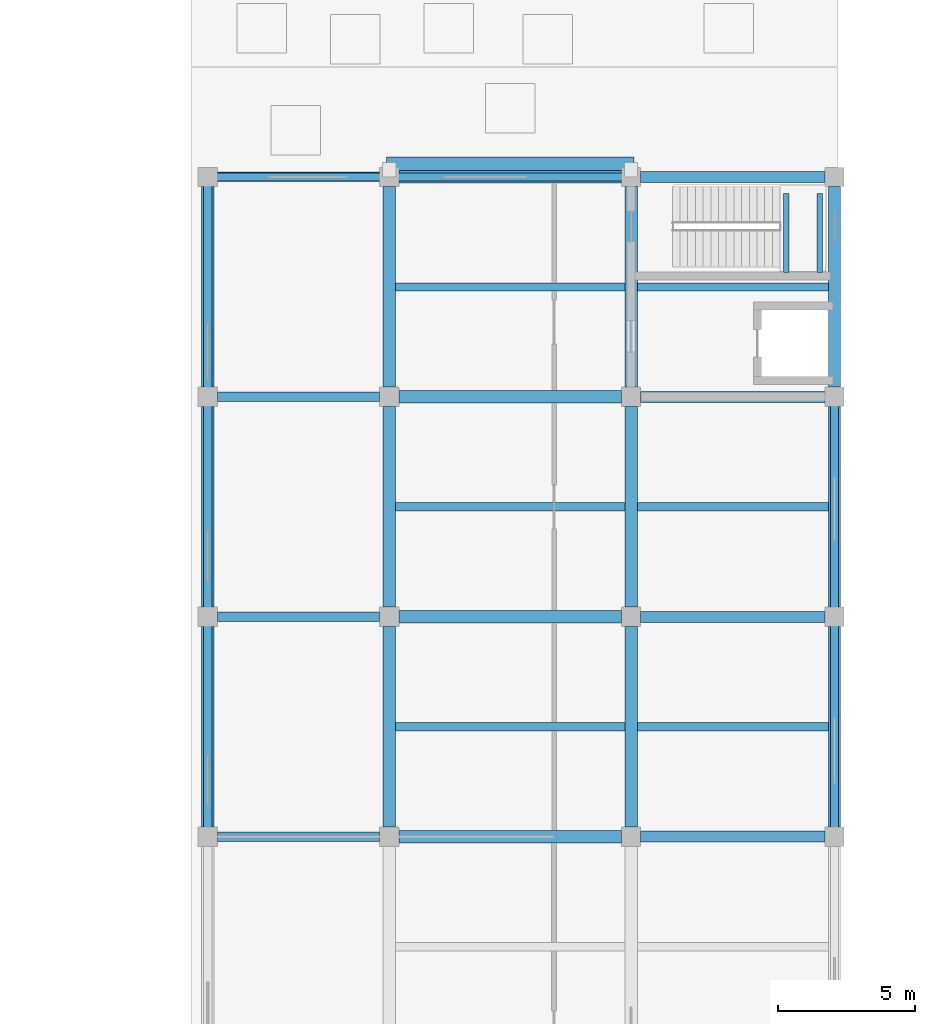
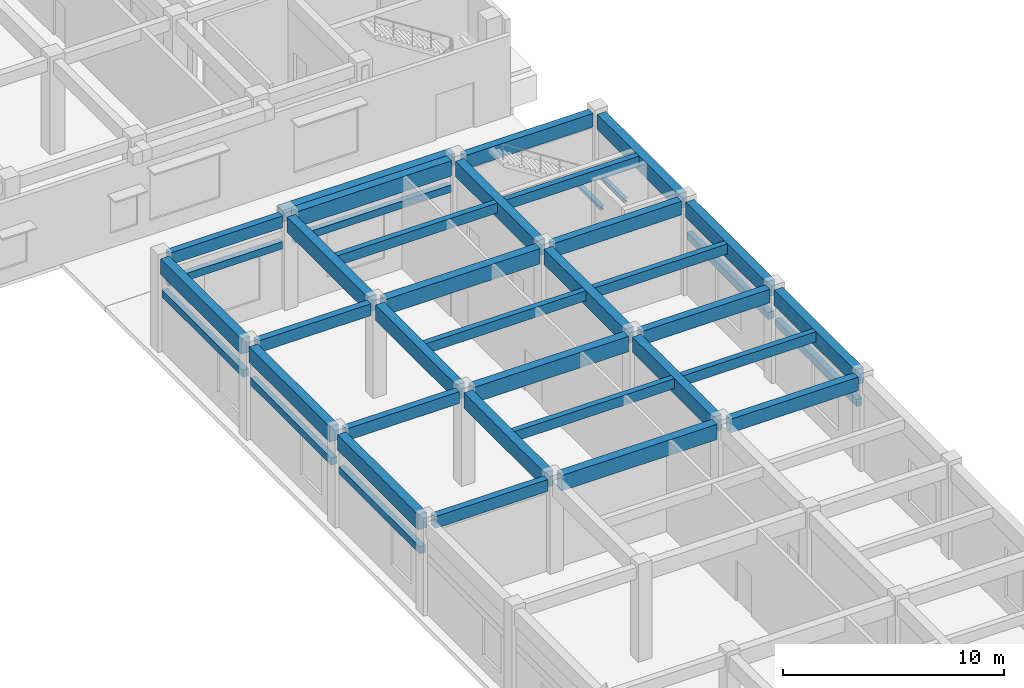
# One storey, part 19 of 46: 40 beams.
"""IFC4 building model written with IfcOpenShell, lengths in metres."""

from ifc_helpers import new_model, si_unit, direction, frame, origin, origin_2d, place, context, subcontext, project, spatial, rectangle, i_section, extrude, material, material_profile, profile_set, type_object, element, save


model = new_model("IFC4")

# Units and contexts
model_context = context("Model", 3, precision=1e-05, world=origin(), true_north=direction((0.0, 1.0)))
body_context = subcontext(model_context, "Body", "Model", "MODEL_VIEW")
ifc_project = project(units=[si_unit("LENGTHUNIT", "METRE"), si_unit("AREAUNIT", "SQUARE_METRE"), si_unit("VOLUMEUNIT", "CUBIC_METRE"), si_unit("PLANEANGLEUNIT", "RADIAN"), si_unit("MASSUNIT", "GRAM", prefix="KILO")], contexts=[model_context])

# Site, building, storey
site_placement = place(None, origin())
site = spatial("IfcSite", under=ifc_project, at=site_placement, CompositionType="ELEMENT")
building_placement = place(site_placement, origin())
building = spatial("IfcBuilding", under=site, at=building_placement, Name="Cinchona Park Media Centre", CompositionType="ELEMENT")
storey_placement = place(building_placement, origin())
storey = spatial("IfcBuildingStorey", under=building, at=storey_placement, Name="L00", CompositionType="ELEMENT", Elevation=0.0)

# Beams
ifc_material_1 = material(Name="Concrete C35/45", Category="concrete")
ifc_material_profile_1 = material_profile(ifc_material_1, rectangle(XDim=0.39990234375, YDim=0.75, at=origin_2d()), Name="RB 400X750")
ifc_profile_set_1 = profile_set([ifc_material_profile_1], Name="Concrete C35/45")
beam_type_1 = type_object("IfcBeamType", Name="BEAM-B01-RB400X750", PredefinedType="BEAM", material=ifc_profile_set_1)
for number, where, z_axis, x_axis, name in (
    (1, (164.949951171875, 39.60009765625, 4.764892578125), (1.0, 0.0, 0.0), (0.0, 1.0, 0.0), "Beam B01 L00"),
    (2, (164.949951171875, 47.60009765625, 4.764892578125), (1.0, 0.0, 0.0), (0.0, 1.0, 0.0), "Beam B01 L00"),
    (3, (164.949951171875, 55.60009765625, 4.764892578125), (1.0, 0.0, 0.0), (0.0, 1.0, 0.0), "Beam B01 L00"),
    (4, (164.949951171875, 63.60009765625, 4.764892578125), (1.0, 0.0, 0.0), (0.0, 1.0, 0.0), "Beam B01 L00"),
):
    element("IfcBeam", number, at=place(storey_placement, frame(where, z_axis=z_axis, x_axis=x_axis)), inside=storey, type_object=beam_type_1, Name=name, PredefinedType="BEAM", context=body_context, shape_type="SweptSolid", body=[
        extrude(rectangle(XDim=0.39990234375, YDim=0.75, at=origin_2d()), origin(), (0.0, 0.0, 1.0), 6.699951171875),
    ])
ifc_material_2 = material(Name="Concrete C35/45", Category="concrete")
ifc_material_profile_2 = material_profile(ifc_material_2, rectangle(XDim=0.449951171875, YDim=0.85009765625, at=origin_2d()), Name="RB 450X850")
ifc_profile_set_2 = profile_set([ifc_material_profile_2], Name="Concrete C35/45")
beam_type_2 = type_object("IfcBeamType", Name="BEAM-B02-RB450X850", PredefinedType="BEAM", material=ifc_profile_set_2)
for number, where, z_axis, x_axis, name in (
    (5, (156.14990234375, 39.60009765625, 4.715087890625), (1.0, 0.0, 0.0), (0.0, 1.0, 0.0), "Beam B02 L00"),
    (6, (156.14990234375, 47.60009765625, 4.715087890625), (1.0, 0.0, 0.0), (0.0, 1.0, 0.0), "Beam B02 L00"),
    (7, (156.14990234375, 55.60009765625, 4.715087890625), (1.0, 0.0, 0.0), (0.0, 1.0, 0.0), "Beam B02 L00"),
    (8, (156.14990234375, 63.60009765625, 4.715087890625), (1.0, 0.0, 0.0), (0.0, 1.0, 0.0), "Beam B02 L00"),
):
    element("IfcBeam", number, at=place(storey_placement, frame(where, z_axis=z_axis, x_axis=x_axis)), inside=storey, type_object=beam_type_2, Name=name, PredefinedType="BEAM", context=body_context, shape_type="SweptSolid", body=[
        extrude(rectangle(XDim=0.449951171875, YDim=0.85009765625, at=origin_2d()), origin(), (0.0, 0.0, 1.0), 8.10009765625),
    ])
for number, where, z_axis, x_axis, name in (
    (9, (149.199951171875, 39.949951171875, 4.715087890625), (0.0, 1.0, 0.0), (-1.0, 0.0, 0.0), "Girder B02 L00"),
    (10, (149.199951171875, 47.949951171875, 4.715087890625), (0.0, 1.0, 0.0), (-1.0, 0.0, 0.0), "Girder B02 L00"),
    (11, (149.199951171875, 55.949951171875, 4.715087890625), (0.0, 1.0, 0.0), (-1.0, 0.0, 0.0), "Girder B02 L00"),
    (12, (155.800048828125, 39.949951171875, 4.715087890625), (0.0, 1.0, 0.0), (-1.0, 0.0, 0.0), "Girder B02 L00"),
    (13, (155.800048828125, 47.949951171875, 4.715087890625), (0.0, 1.0, 0.0), (-1.0, 0.0, 0.0), "Girder B02 L00"),
    (14, (155.800048828125, 55.949951171875, 4.715087890625), (0.0, 1.0, 0.0), (-1.0, 0.0, 0.0), "Girder B02 L00"),
    (15, (164.60009765625, 39.949951171875, 4.715087890625), (0.0, 1.0, 0.0), (-1.0, 0.0, 0.0), "Girder B02 L00"),
    (16, (164.60009765625, 47.949951171875, 4.715087890625), (0.0, 1.0, 0.0), (-1.0, 0.0, 0.0), "Girder B02 L00"),
    (17, (164.60009765625, 55.949951171875, 4.715087890625), (0.0, 1.0, 0.0), (-1.0, 0.0, 0.0), "Girder B02 L00"),
    (18, (172.0, 39.949951171875, 4.715087890625), (0.0, 1.0, 0.0), (-1.0, 0.0, 0.0), "Girder B02 L00"),
    (19, (172.0, 47.949951171875, 4.715087890625), (0.0, 1.0, 0.0), (-1.0, 0.0, 0.0), "Girder B02 L00"),
    (20, (172.0, 55.949951171875, 4.715087890625), (0.0, 1.0, 0.0), (-1.0, 0.0, 0.0), "Girder B02 L00"),
):
    element("IfcBeam", number, at=place(storey_placement, frame(where, z_axis=z_axis, x_axis=x_axis)), inside=storey, type_object=beam_type_2, Name=name, PredefinedType="BEAM", context=body_context, shape_type="SweptSolid", body=[
        extrude(rectangle(XDim=0.449951171875, YDim=0.85009765625, at=origin_2d()), origin(), (0.0, 0.0, 1.0), 7.300048828125),
    ])
ifc_material_3 = material(Name="Concrete C35/45", Category="concrete")
ifc_material_profile_3 = material_profile(ifc_material_3, rectangle(XDim=0.35009765625, YDim=0.64990234375, at=origin_2d()), Name="RB 350X650")
ifc_profile_set_3 = profile_set([ifc_material_profile_3], Name="Concrete C35/45")
beam_type_3 = type_object("IfcBeamType", Name="BEAM-B04-RB350X650", PredefinedType="BEAM", material=ifc_profile_set_3)
for number, where, z_axis, x_axis, name in (
    (21, (149.550048828125, 39.60009765625, 4.81494140625), (1.0, 0.0, 0.0), (0.0, 1.0, 0.0), "Beam B04 L00"),
    (22, (149.550048828125, 47.60009765625, 4.81494140625), (1.0, 0.0, 0.0), (0.0, 1.0, 0.0), "Beam B04 L00"),
    (23, (149.550048828125, 55.60009765625, 4.81494140625), (1.0, 0.0, 0.0), (0.0, 1.0, 0.0), "Beam B04 L00"),
    (24, (149.550048828125, 63.60009765625, 4.81494140625), (1.0, 0.0, 0.0), (0.0, 1.0, 0.0), "Beam B04 L00"),
):
    element("IfcBeam", number, at=place(storey_placement, frame(where, z_axis=z_axis, x_axis=x_axis)), inside=storey, type_object=beam_type_3, Name=name, PredefinedType="BEAM", context=body_context, shape_type="SweptSolid", body=[
        extrude(rectangle(XDim=0.35009765625, YDim=0.64990234375, at=origin_2d()), origin(), (0.0, 0.0, 1.0), 5.89990234375),
    ])
ifc_material_4 = material(Name="Concrete C40/50", Category="concrete")
ifc_material_profile_4 = material_profile(ifc_material_4, rectangle(XDim=0.47998046875, YDim=0.64990234375, at=origin_2d()), Name="RB 480X650")
ifc_profile_set_4 = profile_set([ifc_material_profile_4], Name="Concrete C40/50")
beam_type_4 = type_object("IfcBeamType", Name="BEAM-B07-RB480X650", PredefinedType="BEAM", material=ifc_profile_set_4)
beam_1_placement = place(storey_placement, frame((155.699951171875, 64.080078125, 4.77490234375), z_axis=(1.0, 0.0, 0.0), x_axis=(0.0, 1.0, 0.0)))
element("IfcBeam", 25, at=beam_1_placement, inside=storey, type_object=beam_type_4, Name="Skybridge Bearing Seat Beam B07 V6 L00", PredefinedType="BEAM", context=body_context, shape_type="SweptSolid", body=[
    extrude(rectangle(XDim=0.47998046875, YDim=0.64990234375, at=origin_2d()), origin(), (0.0, 0.0, 1.0), 9.0),
])
ifc_material_5 = material(Name="Steel S355", Category="steel")
ifc_material_profile_5 = material_profile(ifc_material_5, i_section(OverallWidth=0.202880859375, OverallDepth=0.202880859375, WebThickness=0.007080078125, FlangeThickness=0.010986328125, at=origin_2d()), Name="W200X46")
ifc_profile_set_5 = profile_set([ifc_material_profile_5], Name="Steel S355")
beam_type_5 = type_object("IfcBeamType", Name="BEAM-B10-W200X46", PredefinedType="BEAM", material=ifc_profile_set_5)
for number, where, z_axis, x_axis, name in (
    (26, (170.239990234375, 60.1298828125, 2.3935546875), (0.0, 1.0, 0.0), (-1.0, 0.0, 0.0), "Stair Landing Bearer Beam B10 ST7 L00"),
    (27, (171.4599609375, 60.1298828125, 2.3935546875), (0.0, 1.0, 0.0), (-1.0, 0.0, 0.0), "Stair Landing Bearer Beam B10 ST7 L00"),
):
    element("IfcBeam", number, at=place(storey_placement, frame(where, z_axis=z_axis, x_axis=x_axis)), inside=storey, type_object=beam_type_5, Name=name, PredefinedType="BEAM", context=body_context, shape_type="SweptSolid", body=[
        extrude(i_section(OverallWidth=0.202880859375, OverallDepth=0.202880859375, WebThickness=0.007080078125, FlangeThickness=0.010986328125, at=origin_2d()), origin(), (0.0, 0.0, 1.0), 2.8701171875),
    ])
ifc_material_6 = material(Name="Concrete C35/45", Category="concrete")
ifc_material_profile_6 = material_profile(ifc_material_6, rectangle(XDim=0.300048828125, YDim=0.550048828125, at=origin_2d()), Name="RB 300X550")
ifc_profile_set_6 = profile_set([ifc_material_profile_6], Name="Concrete C35/45")
beam_type_6 = type_object("IfcBeamType", Name="BEAM-J01-RB300X550", PredefinedType="JOIST", material=ifc_profile_set_6)
for number, where, z_axis, x_axis, name in (
    (28, (156.02490234375, 43.60009765625, 4.864990234375), (1.0, 0.0, 0.0), (0.0, 1.0, 0.0), "Floor Joist J01 L00"),
    (29, (156.02490234375, 51.60009765625, 4.864990234375), (1.0, 0.0, 0.0), (0.0, 1.0, 0.0), "Floor Joist J01 L00"),
    (30, (156.02490234375, 59.60009765625, 4.864990234375), (1.0, 0.0, 0.0), (0.0, 1.0, 0.0), "Floor Joist J01 L00"),
):
    element("IfcBeam", number, at=place(storey_placement, frame(where, z_axis=z_axis, x_axis=x_axis)), inside=storey, type_object=beam_type_6, Name=name, PredefinedType="JOIST", context=body_context, shape_type="SweptSolid", body=[
        extrude(rectangle(XDim=0.300048828125, YDim=0.550048828125, at=origin_2d()), origin(), (0.0, 0.0, 1.0), 8.35009765625),
    ])
for number, where, z_axis, x_axis, name in (
    (31, (164.824951171875, 43.60009765625, 4.864990234375), (1.0, 0.0, 0.0), (0.0, 1.0, 0.0), "Floor Joist J01 L00"),
    (32, (164.824951171875, 51.60009765625, 4.864990234375), (1.0, 0.0, 0.0), (0.0, 1.0, 0.0), "Floor Joist J01 L00"),
    (33, (164.824951171875, 59.60009765625, 4.864990234375), (1.0, 0.0, 0.0), (0.0, 1.0, 0.0), "Floor Joist J01 L00"),
):
    element("IfcBeam", number, at=place(storey_placement, frame(where, z_axis=z_axis, x_axis=x_axis)), inside=storey, type_object=beam_type_6, Name=name, PredefinedType="JOIST", context=body_context, shape_type="SweptSolid", body=[
        extrude(rectangle(XDim=0.300048828125, YDim=0.550048828125, at=origin_2d()), origin(), (0.0, 0.0, 1.0), 6.949951171875),
    ])
ifc_material_7 = material(Name="Concrete C35/45", Category="concrete")
ifc_material_profile_7 = material_profile(ifc_material_7, rectangle(XDim=0.300048828125, YDim=0.39990234375, at=origin_2d()), Name="RL 300X400")
ifc_profile_set_7 = profile_set([ifc_material_profile_7], Name="Concrete C35/45")
beam_type_7 = type_object("IfcBeamType", Name="BEAM-LN02-RL300X400", PredefinedType="LINTEL", material=ifc_profile_set_7)
for number, where, z_axis, x_axis, name in (
    (34, (149.199951171875, 39.929931640625, 3.14990234375), (0.0, 1.0, 0.0), (-1.0, 0.0, 0.0), "Window Lintel LN02"),
    (35, (149.199951171875, 47.929931640625, 3.199951171875), (0.0, 1.0, 0.0), (-1.0, 0.0, 0.0), "Window Lintel LN02"),
    (36, (149.199951171875, 55.929931640625, 3.199951171875), (0.0, 1.0, 0.0), (-1.0, 0.0, 0.0), "Window Lintel LN02"),
):
    element("IfcBeam", number, at=place(storey_placement, frame(where, z_axis=z_axis, x_axis=x_axis)), inside=storey, type_object=beam_type_7, Name=name, PredefinedType="LINTEL", context=body_context, shape_type="SweptSolid", body=[
        extrude(rectangle(XDim=0.300048828125, YDim=0.39990234375, at=origin_2d()), origin(), (0.0, 0.0, 1.0), 7.340087890625),
    ])
beam_2_placement = place(storey_placement, frame((149.530029296875, 63.60009765625, 3.5), z_axis=(1.0, 0.0, 0.0), x_axis=(0.0, 1.0, 0.0)))
element("IfcBeam", 37, at=beam_2_placement, inside=storey, type_object=beam_type_7, Name="Window Lintel LN02", PredefinedType="LINTEL", context=body_context, shape_type="SweptSolid", body=[
    extrude(rectangle(XDim=0.300048828125, YDim=0.39990234375, at=origin_2d()), origin(), (0.0, 0.0, 1.0), 5.93994140625),
])
beam_3_placement = place(storey_placement, frame((156.1298828125, 63.60009765625, 3.550048828125), z_axis=(1.0, 0.0, 0.0), x_axis=(0.0, 1.0, 0.0)))
element("IfcBeam", 38, at=beam_3_placement, inside=storey, type_object=beam_type_7, Name="Window Lintel LN02", PredefinedType="LINTEL", context=body_context, shape_type="SweptSolid", body=[
    extrude(rectangle(XDim=0.300048828125, YDim=0.39990234375, at=origin_2d()), origin(), (0.0, 0.0, 1.0), 8.14013671875),
])
for number, where, z_axis, x_axis, name in (
    (39, (172.0, 55.27001953125, 3.25), (0.0, -1.0, 0.0), (1.0, 0.0, 0.0), "Window Lintel LN02"),
    (40, (172.0, 47.27001953125, 3.300048828125), (0.0, -1.0, 0.0), (1.0, 0.0, 0.0), "Window Lintel LN02"),
):
    element("IfcBeam", number, at=place(storey_placement, frame(where, z_axis=z_axis, x_axis=x_axis)), inside=storey, type_object=beam_type_7, Name=name, PredefinedType="LINTEL", context=body_context, shape_type="SweptSolid", body=[
        extrude(rectangle(XDim=0.300048828125, YDim=0.39990234375, at=origin_2d()), origin(), (0.0, 0.0, 1.0), 7.340087890625),
    ])

save(model, "model.ifc")
